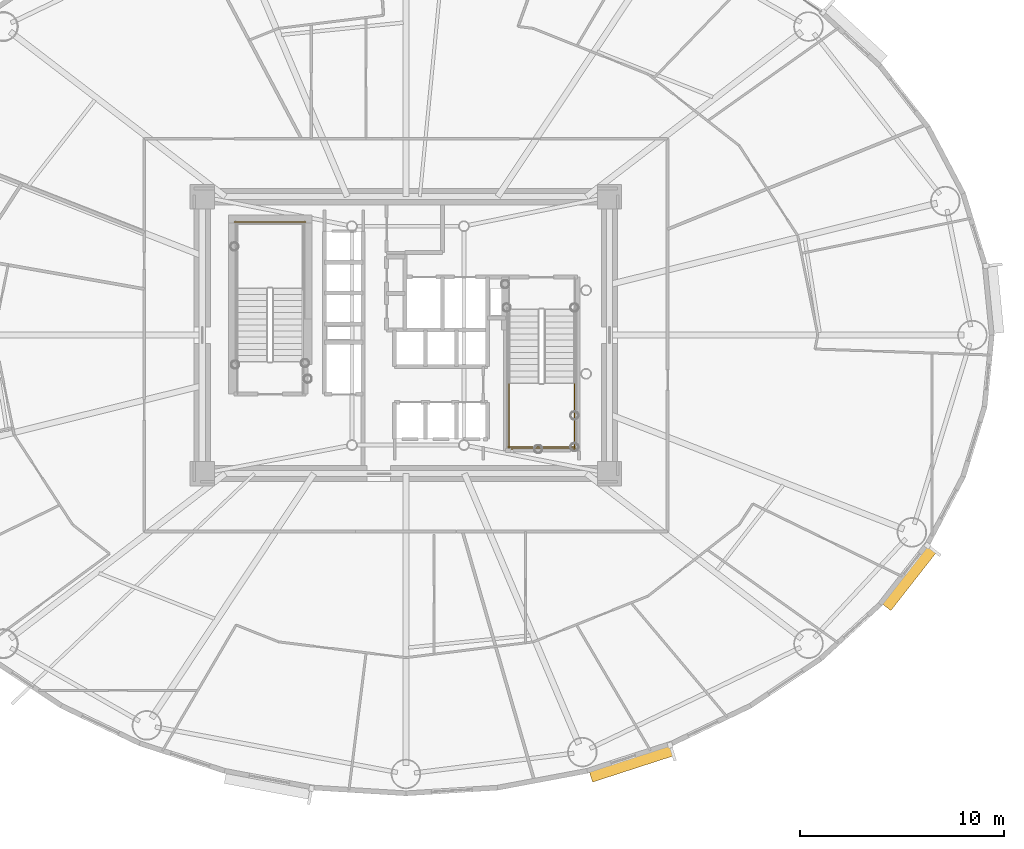
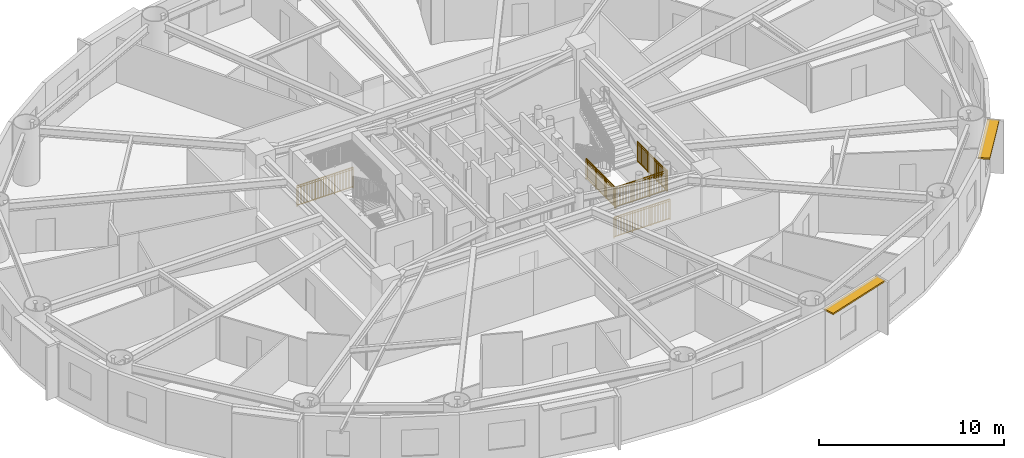
# One storey, part 18 of 20: 5 railings, 2 shading devices.
"""IFC4 building model written with IfcOpenShell, lengths in metres."""

from ifc_helpers import new_model, si_unit, direction, frame, origin, origin_2d, place, context, subcontext, project, spatial, rectangle, extrude, source, transform, mapped, material, layer, layer_set, type_object, element, save


model = new_model("IFC4")

# Units and contexts
model_context = context("Model", 3, precision=1e-05, world=origin(), true_north=direction((0.0, 1.0)))
body_context = subcontext(model_context, "Body", "Model", "MODEL_VIEW")
ifc_project = project(units=[si_unit("LENGTHUNIT", "METRE"), si_unit("AREAUNIT", "SQUARE_METRE"), si_unit("VOLUMEUNIT", "CUBIC_METRE"), si_unit("PLANEANGLEUNIT", "RADIAN"), si_unit("MASSUNIT", "GRAM", prefix="KILO")], contexts=[model_context])

# Site, building, storey
site_placement = place(None, origin())
site = spatial("IfcSite", under=ifc_project, at=site_placement, CompositionType="ELEMENT")
building_placement = place(site_placement, origin())
building = spatial("IfcBuilding", under=site, at=building_placement, Name="Linh Dai School and Residence Tower", CompositionType="ELEMENT")
storey_placement = place(building_placement, frame((0.0, 0.0, 127.199951171875)))
storey = spatial("IfcBuildingStorey", under=building, at=storey_placement, Name="L30", CompositionType="ELEMENT", Elevation=127.199951171875)

# Shading devices
ifc_material_1 = material(Name="Terracotta Ceramic Sunshade", Category="masonry")
ifc_layer = layer(ifc_material_1, 0.10009765625)
ifc_layer_set = layer_set([ifc_layer], Name="Terracotta Ceramic Sunshade")
shading_device_type = type_object("IfcShadingDeviceType", Name="SHD-TC-650", PredefinedType="USERDEFINED", material=ifc_layer_set)
shared_shape_1 = source(origin(), body_context, "Body", "SweptSolid", [
    extrude(rectangle(XDim=4.212890625, YDim=0.64990234375, at=origin_2d()), origin(), (0.0, 0.0, 1.0), 0.10009765625),
])
shading_device_1_placement = place(storey_placement, frame((47.07470703125, 6.004638671875, 3.3798828125), z_axis=(0.0, 0.0, 1.0), x_axis=(-0.951217089442, -0.308522363457, 0.0)))
element("IfcShadingDevice", 1, at=shading_device_1_placement, inside=storey, type_object=shading_device_type, Name="L30 Terracotta Horizontal Sunshade Band 33", ObjectType="SUNSHADE", PredefinedType="USERDEFINED", context=body_context, shape_type="MappedRepresentation", body=[
    mapped(shared_shape_1, transform((0.0, 0.0, 0.0), x_axis=(1.0, 0.0, 0.0), y_axis=(0.0, 1.0, 0.0), z_axis=(0.0, 0.0, 1.0), scale=1.0)),
])
shared_shape_2 = source(origin(), body_context, "Body", "SweptSolid", [
    extrude(rectangle(XDim=3.67041015625, YDim=0.64990234375, at=origin_2d()), origin(), (0.0, 0.0, 1.0), 0.10009765625),
])
shading_device_2_placement = place(storey_placement, frame((60.691650390625, 15.11328125, 3.3798828125), z_axis=(0.0, 0.0, 1.0), x_axis=(-0.616305017583, -0.787507539838, 0.0)))
element("IfcShadingDevice", 2, at=shading_device_2_placement, inside=storey, type_object=shading_device_type, Name="L30 Terracotta Horizontal Sunshade Band 37", ObjectType="SUNSHADE", PredefinedType="USERDEFINED", context=body_context, shape_type="MappedRepresentation", body=[
    mapped(shared_shape_2, transform((0.0, 0.0, 0.0), x_axis=(1.0, 0.0, 0.0), y_axis=(0.0, 1.0, 0.0), z_axis=(0.0, 0.0, 1.0), scale=1.0)),
])

# Railings
ifc_material_2 = material(Name="Structural Steel S355JR", Category="steel")
railing_type = type_object("IfcRailingType", Name="RL-ST-GUARD-1400", PredefinedType="GUARDRAIL", material=ifc_material_2)
shared_shape_3 = source(origin(), body_context, "Body", "SweptSolid", [
    extrude(rectangle(XDim=0.048095703125, YDim=0.048095703125, at=origin_2d()), frame((0.0, 0.0, 1.3759765625), z_axis=(-1.0, 0.0, 0.0), x_axis=(0.0, -1.0, 0.0)), (0.0, 0.0, 1.0), 3.5),
    extrude(rectangle(XDim=0.048095703125, YDim=0.048095703125, at=origin_2d()), frame((0.0, 0.0, 0.10009765625), z_axis=(-1.0, 0.0, 0.0), x_axis=(0.0, -1.0, 0.0)), (0.0, 0.0, 1.0), 3.5),
    extrude(rectangle(XDim=0.030029296875, YDim=0.030029296875, at=origin_2d()), frame((0.0, 0.0, 1.239990234375), z_axis=(-1.0, 0.0, 0.0), x_axis=(0.0, -1.0, 0.0)), (0.0, 0.0, 1.0), 3.5),
    extrude(rectangle(XDim=0.02001953125, YDim=0.02001953125, at=origin_2d()), frame((-0.09716796875, 0.0, 0.10009765625)), (0.0, 0.0, 1.0), 1.251708984375),
    extrude(rectangle(XDim=0.02001953125, YDim=0.02001953125, at=origin_2d()), frame((-0.1943359375, 0.0, 0.10009765625)), (0.0, 0.0, 1.0), 1.251708984375),
    extrude(rectangle(XDim=0.02001953125, YDim=0.02001953125, at=origin_2d()), frame((-0.291748046875, 0.0, 0.10009765625)), (0.0, 0.0, 1.0), 1.251708984375),
    extrude(rectangle(XDim=0.02001953125, YDim=0.02001953125, at=origin_2d()), frame((-0.388916015625, 0.0, 0.10009765625)), (0.0, 0.0, 1.0), 1.251708984375),
    extrude(rectangle(XDim=0.02001953125, YDim=0.02001953125, at=origin_2d()), frame((-0.486083984375, 0.0, 0.10009765625)), (0.0, 0.0, 1.0), 1.251708984375),
    extrude(rectangle(XDim=0.02001953125, YDim=0.02001953125, at=origin_2d()), frame((-0.583251953125, 0.0, 0.10009765625)), (0.0, 0.0, 1.0), 1.251708984375),
    extrude(rectangle(XDim=0.02001953125, YDim=0.02001953125, at=origin_2d()), frame((-0.6806640625, 0.0, 0.10009765625)), (0.0, 0.0, 1.0), 1.251708984375),
    extrude(rectangle(XDim=0.02001953125, YDim=0.02001953125, at=origin_2d()), frame((-0.77783203125, 0.0, 0.10009765625)), (0.0, 0.0, 1.0), 1.251708984375),
    extrude(rectangle(XDim=0.02001953125, YDim=0.02001953125, at=origin_2d()), frame((-0.875, 0.0, 0.10009765625)), (0.0, 0.0, 1.0), 1.251708984375),
    extrude(rectangle(XDim=0.02001953125, YDim=0.02001953125, at=origin_2d()), frame((-0.97216796875, 0.0, 0.10009765625)), (0.0, 0.0, 1.0), 1.251708984375),
    extrude(rectangle(XDim=0.02001953125, YDim=0.02001953125, at=origin_2d()), frame((-1.0693359375, 0.0, 0.10009765625)), (0.0, 0.0, 1.0), 1.251708984375),
    extrude(rectangle(XDim=0.02001953125, YDim=0.02001953125, at=origin_2d()), frame((-1.263916015625, 0.0, 0.10009765625)), (0.0, 0.0, 1.0), 1.251708984375),
    extrude(rectangle(XDim=0.02001953125, YDim=0.02001953125, at=origin_2d()), frame((-1.361083984375, 0.0, 0.10009765625)), (0.0, 0.0, 1.0), 1.251708984375),
    extrude(rectangle(XDim=0.02001953125, YDim=0.02001953125, at=origin_2d()), frame((-1.458251953125, 0.0, 0.10009765625)), (0.0, 0.0, 1.0), 1.251708984375),
    extrude(rectangle(XDim=0.02001953125, YDim=0.02001953125, at=origin_2d()), frame((-1.5556640625, 0.0, 0.10009765625)), (0.0, 0.0, 1.0), 1.251708984375),
    extrude(rectangle(XDim=0.02001953125, YDim=0.02001953125, at=origin_2d()), frame((-1.65283203125, 0.0, 0.10009765625)), (0.0, 0.0, 1.0), 1.251708984375),
    extrude(rectangle(XDim=0.02001953125, YDim=0.02001953125, at=origin_2d()), frame((-1.75, 0.0, 0.10009765625)), (0.0, 0.0, 1.0), 1.251708984375),
    extrude(rectangle(XDim=0.02001953125, YDim=0.02001953125, at=origin_2d()), frame((-1.84716796875, 0.0, 0.10009765625)), (0.0, 0.0, 1.0), 1.251708984375),
    extrude(rectangle(XDim=0.02001953125, YDim=0.02001953125, at=origin_2d()), frame((-1.9443359375, 0.0, 0.10009765625)), (0.0, 0.0, 1.0), 1.251708984375),
    extrude(rectangle(XDim=0.02001953125, YDim=0.02001953125, at=origin_2d()), frame((-2.041748046875, 0.0, 0.10009765625)), (0.0, 0.0, 1.0), 1.251708984375),
    extrude(rectangle(XDim=0.02001953125, YDim=0.02001953125, at=origin_2d()), frame((-2.138916015625, 0.0, 0.10009765625)), (0.0, 0.0, 1.0), 1.251708984375),
    extrude(rectangle(XDim=0.02001953125, YDim=0.02001953125, at=origin_2d()), frame((-2.236083984375, 0.0, 0.10009765625)), (0.0, 0.0, 1.0), 1.251708984375),
    extrude(rectangle(XDim=0.02001953125, YDim=0.02001953125, at=origin_2d()), frame((-2.4306640625, 0.0, 0.10009765625)), (0.0, 0.0, 1.0), 1.251708984375),
    extrude(rectangle(XDim=0.02001953125, YDim=0.02001953125, at=origin_2d()), frame((-2.52783203125, 0.0, 0.10009765625)), (0.0, 0.0, 1.0), 1.251708984375),
    extrude(rectangle(XDim=0.02001953125, YDim=0.02001953125, at=origin_2d()), frame((-2.625, 0.0, 0.10009765625)), (0.0, 0.0, 1.0), 1.251708984375),
    extrude(rectangle(XDim=0.02001953125, YDim=0.02001953125, at=origin_2d()), frame((-2.72216796875, 0.0, 0.10009765625)), (0.0, 0.0, 1.0), 1.251708984375),
    extrude(rectangle(XDim=0.02001953125, YDim=0.02001953125, at=origin_2d()), frame((-2.8193359375, 0.0, 0.10009765625)), (0.0, 0.0, 1.0), 1.251708984375),
    extrude(rectangle(XDim=0.02001953125, YDim=0.02001953125, at=origin_2d()), frame((-2.916748046875, 0.0, 0.10009765625)), (0.0, 0.0, 1.0), 1.251708984375),
    extrude(rectangle(XDim=0.02001953125, YDim=0.02001953125, at=origin_2d()), frame((-3.013916015625, 0.0, 0.10009765625)), (0.0, 0.0, 1.0), 1.251708984375),
    extrude(rectangle(XDim=0.02001953125, YDim=0.02001953125, at=origin_2d()), frame((-3.111083984375, 0.0, 0.10009765625)), (0.0, 0.0, 1.0), 1.251708984375),
    extrude(rectangle(XDim=0.02001953125, YDim=0.02001953125, at=origin_2d()), frame((-3.208251953125, 0.0, 0.10009765625)), (0.0, 0.0, 1.0), 1.251708984375),
    extrude(rectangle(XDim=0.02001953125, YDim=0.02001953125, at=origin_2d()), frame((-3.3056640625, 0.0, 0.10009765625)), (0.0, 0.0, 1.0), 1.251708984375),
    extrude(rectangle(XDim=0.02001953125, YDim=0.02001953125, at=origin_2d()), frame((-3.40283203125, 0.0, 0.10009765625)), (0.0, 0.0, 1.0), 1.251708984375),
    extrude(rectangle(XDim=0.0419921875, YDim=0.0419921875, at=origin_2d()), origin(), (0.0, 0.0, 1.0), 1.3759765625),
    extrude(rectangle(XDim=0.0419921875, YDim=0.0419921875, at=origin_2d()), frame((-1.166748046875, 0.0, 0.0)), (0.0, 0.0, 1.0), 1.3759765625),
    extrude(rectangle(XDim=0.0419921875, YDim=0.0419921875, at=origin_2d()), frame((-2.333251953125, 0.0, 0.0)), (0.0, 0.0, 1.0), 1.3759765625),
    extrude(rectangle(XDim=0.0419921875, YDim=0.0419921875, at=origin_2d()), frame((-3.5, 0.0, 0.0)), (0.0, 0.0, 1.0), 1.3759765625),
])
railing_1_placement = place(storey_placement, frame((31.080078125, 32.550048828125, 0.0)))
element("IfcRailing", 3, at=railing_1_placement, inside=storey, type_object=railing_type, Name="L30 ST1 stair guard 12", PredefinedType="GUARDRAIL", context=body_context, shape_type="MappedRepresentation", body=[
    mapped(shared_shape_3, transform((0.0, 0.0, 0.0), x_axis=(1.0, 0.0, 0.0), y_axis=(0.0, 1.0, 0.0), z_axis=(0.0, 0.0, 1.0), scale=1.0)),
])
shared_shape_4 = source(origin(), body_context, "Body", "SweptSolid", [
    extrude(rectangle(XDim=0.048095703125, YDim=0.048095703125, at=origin_2d()), frame((0.0, 0.0, 1.3759765625), z_axis=(1.0, 0.0, 0.0), x_axis=(0.0, 1.0, 0.0)), (0.0, 0.0, 1.0), 3.300048828125),
    extrude(rectangle(XDim=0.048095703125, YDim=0.048095703125, at=origin_2d()), frame((0.0, 0.0, 0.10009765625), z_axis=(1.0, 0.0, 0.0), x_axis=(0.0, 1.0, 0.0)), (0.0, 0.0, 1.0), 3.300048828125),
    extrude(rectangle(XDim=0.030029296875, YDim=0.030029296875, at=origin_2d()), frame((0.0, 0.0, 1.239990234375), z_axis=(1.0, 0.0, 0.0), x_axis=(0.0, 1.0, 0.0)), (0.0, 0.0, 1.0), 3.300048828125),
    extrude(rectangle(XDim=0.02001953125, YDim=0.02001953125, at=origin_2d()), frame((0.09716796875, 0.0, 0.10009765625)), (0.0, 0.0, 1.0), 1.251708984375),
    extrude(rectangle(XDim=0.02001953125, YDim=0.02001953125, at=origin_2d()), frame((0.194091796875, 0.0, 0.10009765625)), (0.0, 0.0, 1.0), 1.251708984375),
    extrude(rectangle(XDim=0.02001953125, YDim=0.02001953125, at=origin_2d()), frame((0.291259765625, 0.0, 0.10009765625)), (0.0, 0.0, 1.0), 1.251708984375),
    extrude(rectangle(XDim=0.02001953125, YDim=0.02001953125, at=origin_2d()), frame((0.38818359375, 0.0, 0.10009765625)), (0.0, 0.0, 1.0), 1.251708984375),
    extrude(rectangle(XDim=0.02001953125, YDim=0.02001953125, at=origin_2d()), frame((0.4853515625, 0.0, 0.10009765625)), (0.0, 0.0, 1.0), 1.251708984375),
    extrude(rectangle(XDim=0.02001953125, YDim=0.02001953125, at=origin_2d()), frame((0.582275390625, 0.0, 0.10009765625)), (0.0, 0.0, 1.0), 1.251708984375),
    extrude(rectangle(XDim=0.02001953125, YDim=0.02001953125, at=origin_2d()), frame((0.679443359375, 0.0, 0.10009765625)), (0.0, 0.0, 1.0), 1.251708984375),
    extrude(rectangle(XDim=0.02001953125, YDim=0.02001953125, at=origin_2d()), frame((0.7763671875, 0.0, 0.10009765625)), (0.0, 0.0, 1.0), 1.251708984375),
    extrude(rectangle(XDim=0.02001953125, YDim=0.02001953125, at=origin_2d()), frame((0.87353515625, 0.0, 0.10009765625)), (0.0, 0.0, 1.0), 1.251708984375),
    extrude(rectangle(XDim=0.02001953125, YDim=0.02001953125, at=origin_2d()), frame((0.970703125, 0.0, 0.10009765625)), (0.0, 0.0, 1.0), 1.251708984375),
    extrude(rectangle(XDim=0.02001953125, YDim=0.02001953125, at=origin_2d()), frame((1.164794921875, 0.0, 0.10009765625)), (0.0, 0.0, 1.0), 1.251708984375),
    extrude(rectangle(XDim=0.02001953125, YDim=0.02001953125, at=origin_2d()), frame((1.26171875, 0.0, 0.10009765625)), (0.0, 0.0, 1.0), 1.251708984375),
    extrude(rectangle(XDim=0.02001953125, YDim=0.02001953125, at=origin_2d()), frame((1.35888671875, 0.0, 0.10009765625)), (0.0, 0.0, 1.0), 1.251708984375),
    extrude(rectangle(XDim=0.02001953125, YDim=0.02001953125, at=origin_2d()), frame((1.455810546875, 0.0, 0.10009765625)), (0.0, 0.0, 1.0), 1.251708984375),
    extrude(rectangle(XDim=0.02001953125, YDim=0.02001953125, at=origin_2d()), frame((1.552978515625, 0.0, 0.10009765625)), (0.0, 0.0, 1.0), 1.251708984375),
    extrude(rectangle(XDim=0.02001953125, YDim=0.02001953125, at=origin_2d()), frame((1.64990234375, 0.0, 0.10009765625)), (0.0, 0.0, 1.0), 1.251708984375),
    extrude(rectangle(XDim=0.02001953125, YDim=0.02001953125, at=origin_2d()), frame((1.7470703125, 0.0, 0.10009765625)), (0.0, 0.0, 1.0), 1.251708984375),
    extrude(rectangle(XDim=0.02001953125, YDim=0.02001953125, at=origin_2d()), frame((1.84423828125, 0.0, 0.10009765625)), (0.0, 0.0, 1.0), 1.251708984375),
    extrude(rectangle(XDim=0.02001953125, YDim=0.02001953125, at=origin_2d()), frame((1.941162109375, 0.0, 0.10009765625)), (0.0, 0.0, 1.0), 1.251708984375),
    extrude(rectangle(XDim=0.02001953125, YDim=0.02001953125, at=origin_2d()), frame((2.038330078125, 0.0, 0.10009765625)), (0.0, 0.0, 1.0), 1.251708984375),
    extrude(rectangle(XDim=0.02001953125, YDim=0.02001953125, at=origin_2d()), frame((2.13525390625, 0.0, 0.10009765625)), (0.0, 0.0, 1.0), 1.251708984375),
    extrude(rectangle(XDim=0.02001953125, YDim=0.02001953125, at=origin_2d()), frame((2.329345703125, 0.0, 0.10009765625)), (0.0, 0.0, 1.0), 1.251708984375),
    extrude(rectangle(XDim=0.02001953125, YDim=0.02001953125, at=origin_2d()), frame((2.426513671875, 0.0, 0.10009765625)), (0.0, 0.0, 1.0), 1.251708984375),
    extrude(rectangle(XDim=0.02001953125, YDim=0.02001953125, at=origin_2d()), frame((2.523681640625, 0.0, 0.10009765625)), (0.0, 0.0, 1.0), 1.251708984375),
    extrude(rectangle(XDim=0.02001953125, YDim=0.02001953125, at=origin_2d()), frame((2.62060546875, 0.0, 0.10009765625)), (0.0, 0.0, 1.0), 1.251708984375),
    extrude(rectangle(XDim=0.02001953125, YDim=0.02001953125, at=origin_2d()), frame((2.7177734375, 0.0, 0.10009765625)), (0.0, 0.0, 1.0), 1.251708984375),
    extrude(rectangle(XDim=0.02001953125, YDim=0.02001953125, at=origin_2d()), frame((2.814697265625, 0.0, 0.10009765625)), (0.0, 0.0, 1.0), 1.251708984375),
    extrude(rectangle(XDim=0.02001953125, YDim=0.02001953125, at=origin_2d()), frame((2.911865234375, 0.0, 0.10009765625)), (0.0, 0.0, 1.0), 1.251708984375),
    extrude(rectangle(XDim=0.02001953125, YDim=0.02001953125, at=origin_2d()), frame((3.0087890625, 0.0, 0.10009765625)), (0.0, 0.0, 1.0), 1.251708984375),
    extrude(rectangle(XDim=0.02001953125, YDim=0.02001953125, at=origin_2d()), frame((3.10595703125, 0.0, 0.10009765625)), (0.0, 0.0, 1.0), 1.251708984375),
    extrude(rectangle(XDim=0.02001953125, YDim=0.02001953125, at=origin_2d()), frame((3.202880859375, 0.0, 0.10009765625)), (0.0, 0.0, 1.0), 1.251708984375),
    extrude(rectangle(XDim=0.0419921875, YDim=0.0419921875, at=origin_2d()), origin(), (0.0, 0.0, 1.0), 1.3759765625),
    extrude(rectangle(XDim=0.0419921875, YDim=0.0419921875, at=origin_2d()), frame((1.10009765625, 0.0, 0.0)), (0.0, 0.0, 1.0), 1.3759765625),
    extrude(rectangle(XDim=0.0419921875, YDim=0.0419921875, at=origin_2d()), frame((2.199951171875, 0.0, 0.0)), (0.0, 0.0, 1.0), 1.3759765625),
    extrude(rectangle(XDim=0.0419921875, YDim=0.0419921875, at=origin_2d()), frame((3.300048828125, 0.0, 0.0)), (0.0, 0.0, 1.0), 1.3759765625),
])
railing_2_placement = place(storey_placement, frame((41.02001953125, 21.5, 1.875)))
element("IfcRailing", 4, at=railing_2_placement, inside=storey, type_object=railing_type, Name="L30 ST2 stair guard 5", PredefinedType="GUARDRAIL", context=body_context, shape_type="MappedRepresentation", body=[
    mapped(shared_shape_4, transform((0.0, 0.0, 0.0), x_axis=(1.0, 0.0, 0.0), y_axis=(0.0, 1.0, 0.0), z_axis=(0.0, 0.0, 1.0), scale=1.0)),
])
shared_shape_5 = source(origin(), body_context, "Body", "SweptSolid", [
    extrude(rectangle(XDim=0.048095703125, YDim=0.048095703125, at=origin_2d()), frame((0.0, 0.0, 1.3759765625), z_axis=(1.0, 0.0, 0.0), x_axis=(0.0, 1.0, 0.0)), (0.0, 0.0, 1.0), 3.5),
    extrude(rectangle(XDim=0.048095703125, YDim=0.048095703125, at=origin_2d()), frame((0.0, 0.0, 0.10009765625), z_axis=(1.0, 0.0, 0.0), x_axis=(0.0, 1.0, 0.0)), (0.0, 0.0, 1.0), 3.5),
    extrude(rectangle(XDim=0.030029296875, YDim=0.030029296875, at=origin_2d()), frame((0.0, 0.0, 1.239990234375), z_axis=(1.0, 0.0, 0.0), x_axis=(0.0, 1.0, 0.0)), (0.0, 0.0, 1.0), 3.5),
    extrude(rectangle(XDim=0.02001953125, YDim=0.02001953125, at=origin_2d()), frame((0.09716796875, 0.0, 0.10009765625)), (0.0, 0.0, 1.0), 1.251708984375),
    extrude(rectangle(XDim=0.02001953125, YDim=0.02001953125, at=origin_2d()), frame((0.1943359375, 0.0, 0.10009765625)), (0.0, 0.0, 1.0), 1.251708984375),
    extrude(rectangle(XDim=0.02001953125, YDim=0.02001953125, at=origin_2d()), frame((0.291748046875, 0.0, 0.10009765625)), (0.0, 0.0, 1.0), 1.251708984375),
    extrude(rectangle(XDim=0.02001953125, YDim=0.02001953125, at=origin_2d()), frame((0.388916015625, 0.0, 0.10009765625)), (0.0, 0.0, 1.0), 1.251708984375),
    extrude(rectangle(XDim=0.02001953125, YDim=0.02001953125, at=origin_2d()), frame((0.486083984375, 0.0, 0.10009765625)), (0.0, 0.0, 1.0), 1.251708984375),
    extrude(rectangle(XDim=0.02001953125, YDim=0.02001953125, at=origin_2d()), frame((0.583251953125, 0.0, 0.10009765625)), (0.0, 0.0, 1.0), 1.251708984375),
    extrude(rectangle(XDim=0.02001953125, YDim=0.02001953125, at=origin_2d()), frame((0.6806640625, 0.0, 0.10009765625)), (0.0, 0.0, 1.0), 1.251708984375),
    extrude(rectangle(XDim=0.02001953125, YDim=0.02001953125, at=origin_2d()), frame((0.77783203125, 0.0, 0.10009765625)), (0.0, 0.0, 1.0), 1.251708984375),
    extrude(rectangle(XDim=0.02001953125, YDim=0.02001953125, at=origin_2d()), frame((0.875, 0.0, 0.10009765625)), (0.0, 0.0, 1.0), 1.251708984375),
    extrude(rectangle(XDim=0.02001953125, YDim=0.02001953125, at=origin_2d()), frame((0.97216796875, 0.0, 0.10009765625)), (0.0, 0.0, 1.0), 1.251708984375),
    extrude(rectangle(XDim=0.02001953125, YDim=0.02001953125, at=origin_2d()), frame((1.0693359375, 0.0, 0.10009765625)), (0.0, 0.0, 1.0), 1.251708984375),
    extrude(rectangle(XDim=0.02001953125, YDim=0.02001953125, at=origin_2d()), frame((1.263916015625, 0.0, 0.10009765625)), (0.0, 0.0, 1.0), 1.251708984375),
    extrude(rectangle(XDim=0.02001953125, YDim=0.02001953125, at=origin_2d()), frame((1.361083984375, 0.0, 0.10009765625)), (0.0, 0.0, 1.0), 1.251708984375),
    extrude(rectangle(XDim=0.02001953125, YDim=0.02001953125, at=origin_2d()), frame((1.458251953125, 0.0, 0.10009765625)), (0.0, 0.0, 1.0), 1.251708984375),
    extrude(rectangle(XDim=0.02001953125, YDim=0.02001953125, at=origin_2d()), frame((1.5556640625, 0.0, 0.10009765625)), (0.0, 0.0, 1.0), 1.251708984375),
    extrude(rectangle(XDim=0.02001953125, YDim=0.02001953125, at=origin_2d()), frame((1.65283203125, 0.0, 0.10009765625)), (0.0, 0.0, 1.0), 1.251708984375),
    extrude(rectangle(XDim=0.02001953125, YDim=0.02001953125, at=origin_2d()), frame((1.75, 0.0, 0.10009765625)), (0.0, 0.0, 1.0), 1.251708984375),
    extrude(rectangle(XDim=0.02001953125, YDim=0.02001953125, at=origin_2d()), frame((1.84716796875, 0.0, 0.10009765625)), (0.0, 0.0, 1.0), 1.251708984375),
    extrude(rectangle(XDim=0.02001953125, YDim=0.02001953125, at=origin_2d()), frame((1.9443359375, 0.0, 0.10009765625)), (0.0, 0.0, 1.0), 1.251708984375),
    extrude(rectangle(XDim=0.02001953125, YDim=0.02001953125, at=origin_2d()), frame((2.041748046875, 0.0, 0.10009765625)), (0.0, 0.0, 1.0), 1.251708984375),
    extrude(rectangle(XDim=0.02001953125, YDim=0.02001953125, at=origin_2d()), frame((2.138916015625, 0.0, 0.10009765625)), (0.0, 0.0, 1.0), 1.251708984375),
    extrude(rectangle(XDim=0.02001953125, YDim=0.02001953125, at=origin_2d()), frame((2.236083984375, 0.0, 0.10009765625)), (0.0, 0.0, 1.0), 1.251708984375),
    extrude(rectangle(XDim=0.02001953125, YDim=0.02001953125, at=origin_2d()), frame((2.4306640625, 0.0, 0.10009765625)), (0.0, 0.0, 1.0), 1.251708984375),
    extrude(rectangle(XDim=0.02001953125, YDim=0.02001953125, at=origin_2d()), frame((2.52783203125, 0.0, 0.10009765625)), (0.0, 0.0, 1.0), 1.251708984375),
    extrude(rectangle(XDim=0.02001953125, YDim=0.02001953125, at=origin_2d()), frame((2.625, 0.0, 0.10009765625)), (0.0, 0.0, 1.0), 1.251708984375),
    extrude(rectangle(XDim=0.02001953125, YDim=0.02001953125, at=origin_2d()), frame((2.72216796875, 0.0, 0.10009765625)), (0.0, 0.0, 1.0), 1.251708984375),
    extrude(rectangle(XDim=0.02001953125, YDim=0.02001953125, at=origin_2d()), frame((2.8193359375, 0.0, 0.10009765625)), (0.0, 0.0, 1.0), 1.251708984375),
    extrude(rectangle(XDim=0.02001953125, YDim=0.02001953125, at=origin_2d()), frame((2.916748046875, 0.0, 0.10009765625)), (0.0, 0.0, 1.0), 1.251708984375),
    extrude(rectangle(XDim=0.02001953125, YDim=0.02001953125, at=origin_2d()), frame((3.013916015625, 0.0, 0.10009765625)), (0.0, 0.0, 1.0), 1.251708984375),
    extrude(rectangle(XDim=0.02001953125, YDim=0.02001953125, at=origin_2d()), frame((3.111083984375, 0.0, 0.10009765625)), (0.0, 0.0, 1.0), 1.251708984375),
    extrude(rectangle(XDim=0.02001953125, YDim=0.02001953125, at=origin_2d()), frame((3.208251953125, 0.0, 0.10009765625)), (0.0, 0.0, 1.0), 1.251708984375),
    extrude(rectangle(XDim=0.02001953125, YDim=0.02001953125, at=origin_2d()), frame((3.3056640625, 0.0, 0.10009765625)), (0.0, 0.0, 1.0), 1.251708984375),
    extrude(rectangle(XDim=0.02001953125, YDim=0.02001953125, at=origin_2d()), frame((3.40283203125, 0.0, 0.10009765625)), (0.0, 0.0, 1.0), 1.251708984375),
    extrude(rectangle(XDim=0.0419921875, YDim=0.0419921875, at=origin_2d()), origin(), (0.0, 0.0, 1.0), 1.3759765625),
    extrude(rectangle(XDim=0.0419921875, YDim=0.0419921875, at=origin_2d()), frame((1.166748046875, 0.0, 0.0)), (0.0, 0.0, 1.0), 1.3759765625),
    extrude(rectangle(XDim=0.0419921875, YDim=0.0419921875, at=origin_2d()), frame((2.333251953125, 0.0, 0.0)), (0.0, 0.0, 1.0), 1.3759765625),
    extrude(rectangle(XDim=0.0419921875, YDim=0.0419921875, at=origin_2d()), frame((3.5, 0.0, 0.0)), (0.0, 0.0, 1.0), 1.3759765625),
])
railing_3_placement = place(storey_placement, frame((40.919921875, 21.39990234375, 0.0)))
element("IfcRailing", 5, at=railing_3_placement, inside=storey, type_object=railing_type, Name="L30 ST2 stair guard 12", PredefinedType="GUARDRAIL", context=body_context, shape_type="MappedRepresentation", body=[
    mapped(shared_shape_5, transform((0.0, 0.0, 0.0), x_axis=(1.0, 0.0, 0.0), y_axis=(0.0, 1.0, 0.0), z_axis=(0.0, 0.0, 1.0), scale=1.0)),
])
shared_shape_6 = source(origin(), body_context, "Body", "SweptSolid", [
    extrude(rectangle(XDim=0.048095703125, YDim=0.048095703125, at=origin_2d()), frame((0.0, 0.0, 1.3759765625), z_axis=(0.0, -1.0, 0.0), x_axis=(1.0, 0.0, 0.0)), (0.0, 0.0, 1.0), 3.199951171875),
    extrude(rectangle(XDim=0.048095703125, YDim=0.048095703125, at=origin_2d()), frame((0.0, 0.0, 0.10009765625), z_axis=(0.0, -1.0, 0.0), x_axis=(1.0, 0.0, 0.0)), (0.0, 0.0, 1.0), 3.199951171875),
    extrude(rectangle(XDim=0.030029296875, YDim=0.030029296875, at=origin_2d()), frame((0.0, 0.0, 1.239990234375), z_axis=(0.0, -1.0, 0.0), x_axis=(1.0, 0.0, 0.0)), (0.0, 0.0, 1.0), 3.199951171875),
    extrude(rectangle(XDim=0.02001953125, YDim=0.02001953125, at=origin_2d()), frame((0.0, -0.096923828125, 0.10009765625)), (0.0, 0.0, 1.0), 1.251708984375),
    extrude(rectangle(XDim=0.02001953125, YDim=0.02001953125, at=origin_2d()), frame((0.0, -0.19384765625, 0.10009765625)), (0.0, 0.0, 1.0), 1.251708984375),
    extrude(rectangle(XDim=0.02001953125, YDim=0.02001953125, at=origin_2d()), frame((0.0, -0.291015625, 0.10009765625)), (0.0, 0.0, 1.0), 1.251708984375),
    extrude(rectangle(XDim=0.02001953125, YDim=0.02001953125, at=origin_2d()), frame((0.0, -0.387939453125, 0.10009765625)), (0.0, 0.0, 1.0), 1.251708984375),
    extrude(rectangle(XDim=0.02001953125, YDim=0.02001953125, at=origin_2d()), frame((0.0, -0.48486328125, 0.10009765625)), (0.0, 0.0, 1.0), 1.251708984375),
    extrude(rectangle(XDim=0.02001953125, YDim=0.02001953125, at=origin_2d()), frame((0.0, -0.581787109375, 0.10009765625)), (0.0, 0.0, 1.0), 1.251708984375),
    extrude(rectangle(XDim=0.02001953125, YDim=0.02001953125, at=origin_2d()), frame((0.0, -0.6787109375, 0.10009765625)), (0.0, 0.0, 1.0), 1.251708984375),
    extrude(rectangle(XDim=0.02001953125, YDim=0.02001953125, at=origin_2d()), frame((0.0, -0.775634765625, 0.10009765625)), (0.0, 0.0, 1.0), 1.251708984375),
    extrude(rectangle(XDim=0.02001953125, YDim=0.02001953125, at=origin_2d()), frame((0.0, -0.872802734375, 0.10009765625)), (0.0, 0.0, 1.0), 1.251708984375),
    extrude(rectangle(XDim=0.02001953125, YDim=0.02001953125, at=origin_2d()), frame((0.0, -0.9697265625, 0.10009765625)), (0.0, 0.0, 1.0), 1.251708984375),
    extrude(rectangle(XDim=0.02001953125, YDim=0.02001953125, at=origin_2d()), frame((0.0, -1.16357421875, 0.10009765625)), (0.0, 0.0, 1.0), 1.251708984375),
    extrude(rectangle(XDim=0.02001953125, YDim=0.02001953125, at=origin_2d()), frame((0.0, -1.260498046875, 0.10009765625)), (0.0, 0.0, 1.0), 1.251708984375),
    extrude(rectangle(XDim=0.02001953125, YDim=0.02001953125, at=origin_2d()), frame((0.0, -1.357666015625, 0.10009765625)), (0.0, 0.0, 1.0), 1.251708984375),
    extrude(rectangle(XDim=0.02001953125, YDim=0.02001953125, at=origin_2d()), frame((0.0, -1.45458984375, 0.10009765625)), (0.0, 0.0, 1.0), 1.251708984375),
    extrude(rectangle(XDim=0.02001953125, YDim=0.02001953125, at=origin_2d()), frame((0.0, -1.551513671875, 0.10009765625)), (0.0, 0.0, 1.0), 1.251708984375),
    extrude(rectangle(XDim=0.02001953125, YDim=0.02001953125, at=origin_2d()), frame((0.0, -1.6484375, 0.10009765625)), (0.0, 0.0, 1.0), 1.251708984375),
    extrude(rectangle(XDim=0.02001953125, YDim=0.02001953125, at=origin_2d()), frame((0.0, -1.745361328125, 0.10009765625)), (0.0, 0.0, 1.0), 1.251708984375),
    extrude(rectangle(XDim=0.02001953125, YDim=0.02001953125, at=origin_2d()), frame((0.0, -1.84228515625, 0.10009765625)), (0.0, 0.0, 1.0), 1.251708984375),
    extrude(rectangle(XDim=0.02001953125, YDim=0.02001953125, at=origin_2d()), frame((0.0, -1.939453125, 0.10009765625)), (0.0, 0.0, 1.0), 1.251708984375),
    extrude(rectangle(XDim=0.02001953125, YDim=0.02001953125, at=origin_2d()), frame((0.0, -2.036376953125, 0.10009765625)), (0.0, 0.0, 1.0), 1.251708984375),
    extrude(rectangle(XDim=0.02001953125, YDim=0.02001953125, at=origin_2d()), frame((0.0, -2.230224609375, 0.10009765625)), (0.0, 0.0, 1.0), 1.251708984375),
    extrude(rectangle(XDim=0.02001953125, YDim=0.02001953125, at=origin_2d()), frame((0.0, -2.3271484375, 0.10009765625)), (0.0, 0.0, 1.0), 1.251708984375),
    extrude(rectangle(XDim=0.02001953125, YDim=0.02001953125, at=origin_2d()), frame((0.0, -2.42431640625, 0.10009765625)), (0.0, 0.0, 1.0), 1.251708984375),
    extrude(rectangle(XDim=0.02001953125, YDim=0.02001953125, at=origin_2d()), frame((0.0, -2.521240234375, 0.10009765625)), (0.0, 0.0, 1.0), 1.251708984375),
    extrude(rectangle(XDim=0.02001953125, YDim=0.02001953125, at=origin_2d()), frame((0.0, -2.6181640625, 0.10009765625)), (0.0, 0.0, 1.0), 1.251708984375),
    extrude(rectangle(XDim=0.02001953125, YDim=0.02001953125, at=origin_2d()), frame((0.0, -2.715087890625, 0.10009765625)), (0.0, 0.0, 1.0), 1.251708984375),
    extrude(rectangle(XDim=0.02001953125, YDim=0.02001953125, at=origin_2d()), frame((0.0, -2.81201171875, 0.10009765625)), (0.0, 0.0, 1.0), 1.251708984375),
    extrude(rectangle(XDim=0.02001953125, YDim=0.02001953125, at=origin_2d()), frame((0.0, -2.908935546875, 0.10009765625)), (0.0, 0.0, 1.0), 1.251708984375),
    extrude(rectangle(XDim=0.02001953125, YDim=0.02001953125, at=origin_2d()), frame((0.0, -3.006103515625, 0.10009765625)), (0.0, 0.0, 1.0), 1.251708984375),
    extrude(rectangle(XDim=0.02001953125, YDim=0.02001953125, at=origin_2d()), frame((0.0, -3.10302734375, 0.10009765625)), (0.0, 0.0, 1.0), 1.251708984375),
    extrude(rectangle(XDim=0.0419921875, YDim=0.0419921875, at=origin_2d()), origin(), (0.0, 0.0, 1.0), 1.3759765625),
    extrude(rectangle(XDim=0.0419921875, YDim=0.0419921875, at=origin_2d()), frame((0.0, -1.066650390625, 0.0)), (0.0, 0.0, 1.0), 1.3759765625),
    extrude(rectangle(XDim=0.0419921875, YDim=0.0419921875, at=origin_2d()), frame((0.0, -2.13330078125, 0.0)), (0.0, 0.0, 1.0), 1.3759765625),
    extrude(rectangle(XDim=0.0419921875, YDim=0.0419921875, at=origin_2d()), frame((0.0, -3.199951171875, 0.0)), (0.0, 0.0, 1.0), 1.3759765625),
])
for number, where, name in (
    (6, (41.070068359375, 24.64990234375, 1.875), "L30 ST2 stair guard 3"),
    (7, (44.27001953125, 24.64990234375, 1.875), "L30 ST2 stair guard 4"),
):
    element("IfcRailing", number, at=place(storey_placement, frame(where)), inside=storey, type_object=railing_type, Name=name, PredefinedType="GUARDRAIL", context=body_context, shape_type="MappedRepresentation", body=[
        mapped(shared_shape_6, transform((0.0, 0.0, 0.0), x_axis=(1.0, 0.0, 0.0), y_axis=(0.0, 1.0, 0.0), z_axis=(0.0, 0.0, 1.0), scale=1.0)),
    ])

save(model, "model.ifc")
